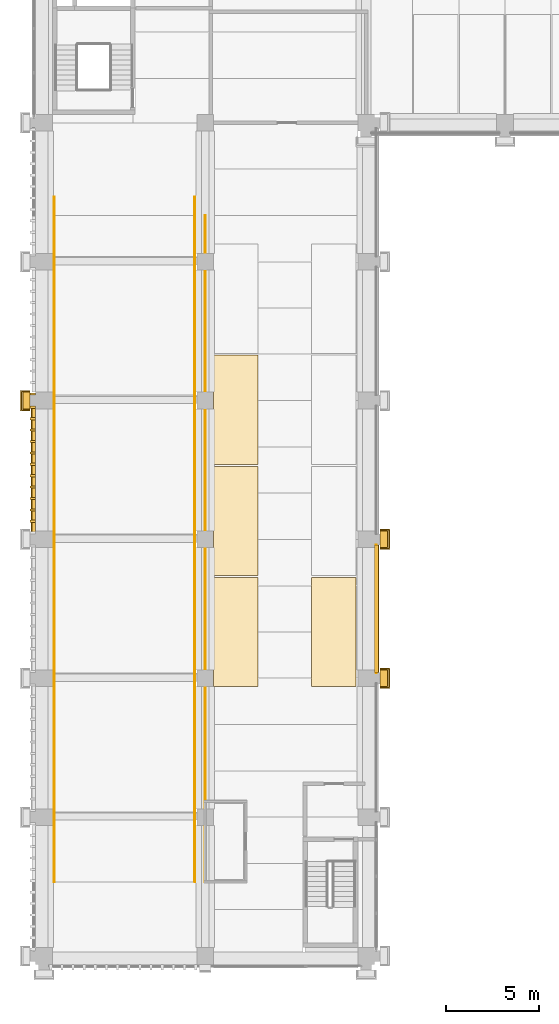
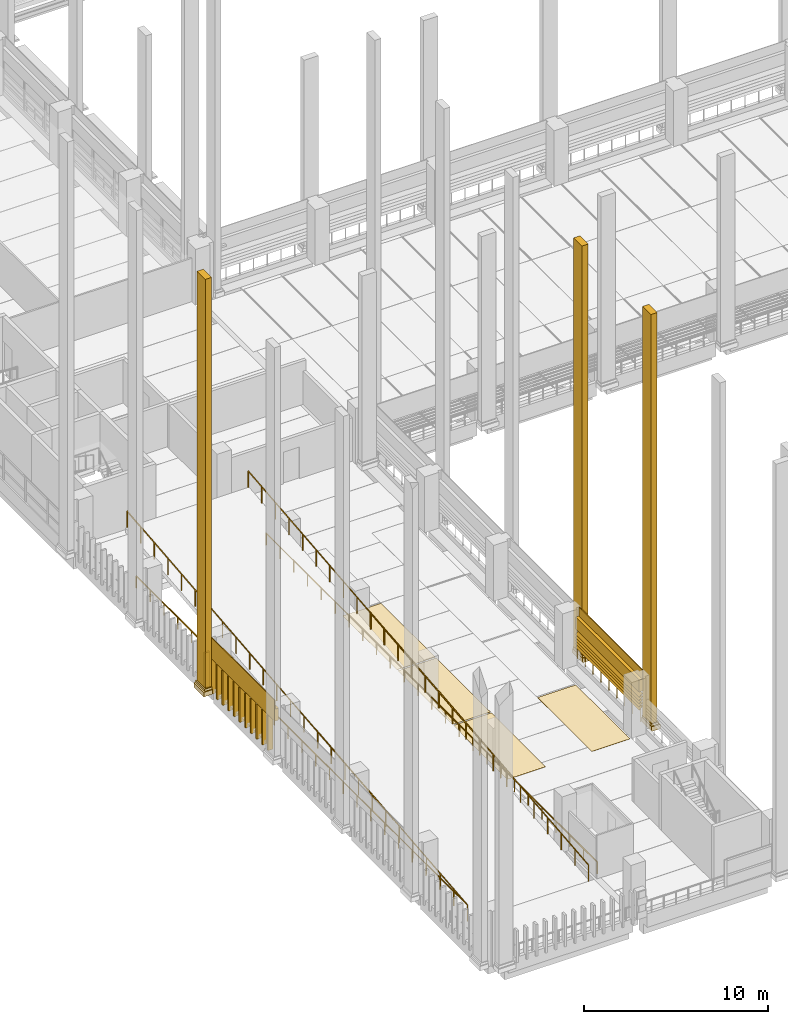
# One storey, part 45 of 67: 27 coverings, 5 railings, 5 shading devices.
"""IFC4 building model written with IfcOpenShell, lengths in metres."""

from ifc_helpers import new_model, si_unit, direction, frame, origin, origin_2d, place, context, subcontext, project, spatial, polyline, circle, outline, extrude, material, layer, layer_set, type_object, element, save


model = new_model("IFC4")

# Units and contexts
model_context = context("Model", 3, precision=1e-05, world=origin(), true_north=direction((0.0, 1.0)))
body_context = subcontext(model_context, "Body", "Model", "MODEL_VIEW")
ifc_project = project(units=[si_unit("LENGTHUNIT", "METRE"), si_unit("AREAUNIT", "SQUARE_METRE"), si_unit("VOLUMEUNIT", "CUBIC_METRE"), si_unit("PLANEANGLEUNIT", "RADIAN"), si_unit("MASSUNIT", "GRAM", prefix="KILO")], contexts=[model_context])

# Site, building, storey
site_placement = place(None, origin())
site = spatial("IfcSite", under=ifc_project, at=site_placement, CompositionType="ELEMENT")
building_placement = place(site_placement, origin())
building = spatial("IfcBuilding", under=site, at=building_placement, Name="Cour d'Honneur Mobility Palace", CompositionType="ELEMENT")
storey_placement = place(building_placement, frame((0.0, 0.0, 4.5)))
storey = spatial("IfcBuildingStorey", under=building, at=storey_placement, Name="L01", CompositionType="ELEMENT", Elevation=4.5)

# Railing
ifc_material_1 = material(Name="Painted steel", Category="steel")
railing_type_1 = type_object("IfcRailingType", Name="Balustrade", PredefinedType="BALUSTRADE", material=ifc_material_1)
railing_1_placement = place(storey_placement, frame((17.949951171875, 15.300048828125, 0.300048828125)))
element("IfcRailing", 1, at=railing_1_placement, inside=storey, type_object=railing_type_1, Name="Balustrade BAL-5", PredefinedType="BALUSTRADE", context=body_context, shape_type="SweptSolid", body=[
    extrude(circle(Radius=0.02392578125, at=origin_2d()), frame((0.0, 0.0, 0.77587890625), z_axis=(0.0, 1.0, 0.0), x_axis=(-1.0, 0.0, 0.0)), (0.0, 0.0, 1.0), 6.89990234375),
    extrude(circle(Radius=0.02099609375, at=origin_2d()), origin(), (0.0, 0.0, 1.0), 0.751953125),
    extrude(circle(Radius=0.02099609375, at=origin_2d()), frame((0.0, 0.862548828125, 0.0)), (0.0, 0.0, 1.0), 0.751953125),
    extrude(circle(Radius=0.02099609375, at=origin_2d()), frame((0.0, 1.72509765625, 0.0)), (0.0, 0.0, 1.0), 0.751953125),
    extrude(circle(Radius=0.02099609375, at=origin_2d()), frame((0.0, 2.58740234375, 0.0)), (0.0, 0.0, 1.0), 0.751953125),
    extrude(circle(Radius=0.02099609375, at=origin_2d()), frame((0.0, 3.449951171875, 0.0)), (0.0, 0.0, 1.0), 0.751953125),
    extrude(circle(Radius=0.02099609375, at=origin_2d()), frame((0.0, 4.3125, 0.0)), (0.0, 0.0, 1.0), 0.751953125),
    extrude(circle(Radius=0.02099609375, at=origin_2d()), frame((0.0, 5.1748046875, 0.0)), (0.0, 0.0, 1.0), 0.751953125),
    extrude(circle(Radius=0.02099609375, at=origin_2d()), frame((0.0, 6.037353515625, 0.0)), (0.0, 0.0, 1.0), 0.751953125),
    extrude(circle(Radius=0.02099609375, at=origin_2d()), frame((0.0, 6.89990234375, 0.0)), (0.0, 0.0, 1.0), 0.751953125),
])

# Coverings
ifc_material_2 = material(Name="Parking marking paint")
ifc_layer_1 = layer(ifc_material_2, 0.0048828125)
ifc_layer_set_1 = layer_set([ifc_layer_1], Name="Parking marking paint")
covering_type_1 = type_object("IfcCoveringType", Name="Parking bay marking", PredefinedType="FLOORING", material=ifc_layer_set_1)
covering_1_placement = place(storey_placement, origin())
element("IfcCovering", 2, at=covering_1_placement, inside=storey, type_object=covering_type_1, Name="Parking bay marking L01 83", PredefinedType="FLOORING", context=body_context, shape_type="SweptSolid", body=[
    extrude(outline(polyline([(11.550048828125, 14.550048828125), (9.14990234375, 14.550048828125), (9.14990234375, 20.449951171875), (11.550048828125, 20.449951171875), (11.550048828125, 14.550048828125)])), origin(), (0.0, 0.0, 1.0), 0.0048828125),
])
covering_2_placement = place(storey_placement, origin())
element("IfcCovering", 3, at=covering_2_placement, inside=storey, type_object=covering_type_1, Name="Parking bay marking L01 84", PredefinedType="FLOORING", context=body_context, shape_type="SweptSolid", body=[
    extrude(outline(polyline([(11.550048828125, 20.550048828125), (9.14990234375, 20.550048828125), (9.14990234375, 26.449951171875), (11.550048828125, 26.449951171875), (11.550048828125, 20.550048828125)])), origin(), (0.0, 0.0, 1.0), 0.0048828125),
])
covering_3_placement = place(storey_placement, origin())
element("IfcCovering", 4, at=covering_3_placement, inside=storey, type_object=covering_type_1, Name="Parking bay marking L01 85", PredefinedType="FLOORING", context=body_context, shape_type="SweptSolid", body=[
    extrude(outline(polyline([(11.550048828125, 26.550048828125), (9.14990234375, 26.550048828125), (9.14990234375, 32.449951171875), (11.550048828125, 32.449951171875), (11.550048828125, 26.550048828125)])), origin(), (0.0, 0.0, 1.0), 0.0048828125),
])
covering_4_placement = place(storey_placement, origin())
element("IfcCovering", 5, at=covering_4_placement, inside=storey, type_object=covering_type_1, Name="Parking bay marking L01 87", PredefinedType="FLOORING", context=body_context, shape_type="SweptSolid", body=[
    extrude(outline(polyline([(16.85009765625, 14.550048828125), (14.449951171875, 14.550048828125), (14.449951171875, 20.449951171875), (16.85009765625, 20.449951171875), (16.85009765625, 14.550048828125)])), origin(), (0.0, 0.0, 1.0), 0.0048828125),
])
ifc_material_3 = material(Name="Cast limestone", Category="masonry")
ifc_layer_2 = layer(ifc_material_3, 0.14990234375)
ifc_layer_set_2 = layer_set([ifc_layer_2], Name="Cast limestone")
covering_type_2 = type_object("IfcCoveringType", Name="Pilaster base", PredefinedType="CLADDING", material=ifc_layer_set_2)
covering_5_placement = place(storey_placement, frame((0.0, 0.0, 0.10009765625)))
element("IfcCovering", 6, at=covering_5_placement, inside=storey, type_object=covering_type_2, Name="Pilaster base PB-9", PredefinedType="CLADDING", context=body_context, shape_type="SweptSolid", body=[
    extrude(outline(polyline([(18.14990234375, 14.449951171875), (18.14990234375, 15.550048828125), (18.699951171875, 15.550048828125), (18.699951171875, 14.449951171875), (18.14990234375, 14.449951171875)])), origin(), (0.0, 0.0, 1.0), 0.2998046875),
])
covering_6_placement = place(storey_placement, frame((0.0, 0.0, 0.39990234375)))
element("IfcCovering", 7, at=covering_6_placement, inside=storey, type_object=covering_type_2, Name="Pilaster base PB-10", PredefinedType="CLADDING", context=body_context, shape_type="SweptSolid", body=[
    extrude(outline(polyline([(18.14990234375, 14.5), (18.14990234375, 15.5), (18.6201171875, 15.5), (18.6201171875, 14.5), (18.14990234375, 14.5)])), origin(), (0.0, 0.0, 1.0), 0.150146484375),
])
covering_7_placement = place(storey_placement, frame((0.0, 0.0, 0.10009765625)))
element("IfcCovering", 8, at=covering_7_placement, inside=storey, type_object=covering_type_2, Name="Pilaster base PB-11", PredefinedType="CLADDING", context=body_context, shape_type="SweptSolid", body=[
    extrude(outline(polyline([(18.14990234375, 21.949951171875), (18.14990234375, 23.050048828125), (18.699951171875, 23.050048828125), (18.699951171875, 21.949951171875), (18.14990234375, 21.949951171875)])), origin(), (0.0, 0.0, 1.0), 0.2998046875),
])
covering_8_placement = place(storey_placement, frame((0.0, 0.0, 0.39990234375)))
element("IfcCovering", 9, at=covering_8_placement, inside=storey, type_object=covering_type_2, Name="Pilaster base PB-12", PredefinedType="CLADDING", context=body_context, shape_type="SweptSolid", body=[
    extrude(outline(polyline([(18.14990234375, 22.0), (18.14990234375, 23.0), (18.6201171875, 23.0), (18.6201171875, 22.0), (18.14990234375, 22.0)])), origin(), (0.0, 0.0, 1.0), 0.150146484375),
])
covering_9_placement = place(storey_placement, frame((0.0, 0.0, 0.10009765625)))
element("IfcCovering", 10, at=covering_9_placement, inside=storey, type_object=covering_type_2, Name="Pilaster base PB-199", PredefinedType="CLADDING", context=body_context, shape_type="SweptSolid", body=[
    extrude(outline(polyline([(-0.75, 30.550048828125), (-0.75, 29.449951171875), (-1.300048828125, 29.449951171875), (-1.300048828125, 30.550048828125), (-0.75, 30.550048828125)])), origin(), (0.0, 0.0, 1.0), 0.2998046875),
])
covering_10_placement = place(storey_placement, frame((0.0, 0.0, 0.39990234375)))
element("IfcCovering", 11, at=covering_10_placement, inside=storey, type_object=covering_type_2, Name="Pilaster base PB-200", PredefinedType="CLADDING", context=body_context, shape_type="SweptSolid", body=[
    extrude(outline(polyline([(-0.75, 30.5), (-0.75, 29.5), (-1.219970703125, 29.5), (-1.219970703125, 30.5), (-0.75, 30.5)])), origin(), (0.0, 0.0, 1.0), 0.150146484375),
])
ifc_material_4 = material(Name="Cast limestone", Category="masonry")
ifc_layer_3 = layer(ifc_material_4, 0.39990234375)
ifc_layer_set_3 = layer_set([ifc_layer_3], Name="Cast limestone")
covering_type_3 = type_object("IfcCoveringType", Name="Pilaster shaft", PredefinedType="CLADDING", material=ifc_layer_set_3)
covering_11_placement = place(storey_placement, frame((0.0, 0.0, 0.550048828125)))
element("IfcCovering", 12, at=covering_11_placement, inside=storey, type_object=covering_type_3, Name="Pilaster shaft PS-5", PredefinedType="CLADDING", context=body_context, shape_type="SweptSolid", body=[
    extrude(outline(polyline([(18.14990234375, 14.550048828125), (18.14990234375, 15.449951171875), (18.550048828125, 15.449951171875), (18.550048828125, 14.550048828125), (18.14990234375, 14.550048828125)])), origin(), (0.0, 0.0, 1.0), 27.14990234375),
])
covering_12_placement = place(storey_placement, frame((0.0, 0.0, 0.550048828125)))
element("IfcCovering", 13, at=covering_12_placement, inside=storey, type_object=covering_type_3, Name="Pilaster shaft PS-6", PredefinedType="CLADDING", context=body_context, shape_type="SweptSolid", body=[
    extrude(outline(polyline([(18.14990234375, 22.050048828125), (18.14990234375, 22.949951171875), (18.550048828125, 22.949951171875), (18.550048828125, 22.050048828125), (18.14990234375, 22.050048828125)])), origin(), (0.0, 0.0, 1.0), 27.14990234375),
])
covering_13_placement = place(storey_placement, frame((0.0, 0.0, 0.550048828125)))
element("IfcCovering", 14, at=covering_13_placement, inside=storey, type_object=covering_type_3, Name="Pilaster shaft PS-100", PredefinedType="CLADDING", context=body_context, shape_type="SweptSolid", body=[
    extrude(outline(polyline([(-0.75, 30.449951171875), (-0.75, 29.550048828125), (-1.14990234375, 29.550048828125), (-1.14990234375, 30.449951171875), (-0.75, 30.449951171875)])), origin(), (0.0, 0.0, 1.0), 27.14990234375),
])

# Railings
ifc_material_5 = material(Name="Painted steel", Category="steel")
railing_type_2 = type_object("IfcRailingType", Name="Ramp guard 1100", PredefinedType="GUARDRAIL", material=ifc_material_5)
railing_2_placement = place(storey_placement, frame((0.550048828125, 4.0, 0.0)))
element("IfcRailing", 15, at=railing_2_placement, inside=storey, type_object=railing_type_2, Name="Ramp guard Ramp West 2", PredefinedType="GUARDRAIL", context=body_context, shape_type="SweptSolid", body=[
    extrude(circle(Radius=0.02490234375, at=origin_2d()), frame((0.0, 0.0, 1.0751953125), z_axis=(0.0, 0.995037320222, 0.099502418892), x_axis=(-1.0, 0.0, 0.0)), (0.0, 0.0, 1.0), 37.1845703125),
    extrude(circle(Radius=0.02099609375, at=origin_2d()), origin(), (0.0, 0.0, 1.0), 1.050048828125),
    extrude(circle(Radius=0.02099609375, at=origin_2d()), frame((0.0, 1.47998046875, 0.14794921875)), (0.0, 0.0, 1.0), 1.050048828125),
    extrude(circle(Radius=0.02099609375, at=origin_2d()), frame((0.0, 2.9599609375, 0.2958984375)), (0.0, 0.0, 1.0), 1.050048828125),
    extrude(circle(Radius=0.02099609375, at=origin_2d()), frame((0.0, 4.43994140625, 0.444091796875)), (0.0, 0.0, 1.0), 1.050048828125),
    extrude(circle(Radius=0.02099609375, at=origin_2d()), frame((0.0, 5.919921875, 0.592041015625)), (0.0, 0.0, 1.0), 1.050048828125),
    extrude(circle(Radius=0.02099609375, at=origin_2d()), frame((0.0, 7.39990234375, 0.739990234375)), (0.0, 0.0, 1.0), 1.050048828125),
    extrude(circle(Radius=0.02099609375, at=origin_2d()), frame((0.0, 8.8798828125, 0.887939453125)), (0.0, 0.0, 1.0), 1.050048828125),
    extrude(circle(Radius=0.02099609375, at=origin_2d()), frame((0.0, 10.360107421875, 1.035888671875)), (0.0, 0.0, 1.0), 1.050048828125),
    extrude(circle(Radius=0.02099609375, at=origin_2d()), frame((0.0, 11.840087890625, 1.18408203125)), (0.0, 0.0, 1.0), 1.050048828125),
    extrude(circle(Radius=0.02099609375, at=origin_2d()), frame((0.0, 13.320068359375, 1.33203125)), (0.0, 0.0, 1.0), 1.050048828125),
    extrude(circle(Radius=0.02099609375, at=origin_2d()), frame((0.0, 14.800048828125, 1.47998046875)), (0.0, 0.0, 1.0), 1.050048828125),
    extrude(circle(Radius=0.02099609375, at=origin_2d()), frame((0.0, 16.280029296875, 1.6279296875)), (0.0, 0.0, 1.0), 1.050048828125),
    extrude(circle(Radius=0.02099609375, at=origin_2d()), frame((0.0, 17.760009765625, 1.77587890625)), (0.0, 0.0, 1.0), 1.050048828125),
    extrude(circle(Radius=0.02099609375, at=origin_2d()), frame((0.0, 19.239990234375, 1.924072265625)), (0.0, 0.0, 1.0), 1.050048828125),
    extrude(circle(Radius=0.02099609375, at=origin_2d()), frame((0.0, 20.719970703125, 2.072021484375)), (0.0, 0.0, 1.0), 1.050048828125),
    extrude(circle(Radius=0.02099609375, at=origin_2d()), frame((0.0, 22.199951171875, 2.219970703125)), (0.0, 0.0, 1.0), 1.050048828125),
    extrude(circle(Radius=0.02099609375, at=origin_2d()), frame((0.0, 23.679931640625, 2.367919921875)), (0.0, 0.0, 1.0), 1.050048828125),
    extrude(circle(Radius=0.02099609375, at=origin_2d()), frame((0.0, 25.159912109375, 2.515869140625)), (0.0, 0.0, 1.0), 1.050048828125),
    extrude(circle(Radius=0.02099609375, at=origin_2d()), frame((0.0, 26.639892578125, 2.6640625)), (0.0, 0.0, 1.0), 1.050048828125),
    extrude(circle(Radius=0.02099609375, at=origin_2d()), frame((0.0, 28.1201171875, 2.81201171875)), (0.0, 0.0, 1.0), 1.050048828125),
    extrude(circle(Radius=0.02099609375, at=origin_2d()), frame((0.0, 29.60009765625, 2.9599609375)), (0.0, 0.0, 1.0), 1.050048828125),
    extrude(circle(Radius=0.02099609375, at=origin_2d()), frame((0.0, 31.080078125, 3.10791015625)), (0.0, 0.0, 1.0), 1.050048828125),
    extrude(circle(Radius=0.02099609375, at=origin_2d()), frame((0.0, 32.56005859375, 3.255859375)), (0.0, 0.0, 1.0), 1.050048828125),
    extrude(circle(Radius=0.02099609375, at=origin_2d()), frame((0.0, 34.0400390625, 3.404052734375)), (0.0, 0.0, 1.0), 1.050048828125),
    extrude(circle(Radius=0.02099609375, at=origin_2d()), frame((0.0, 35.52001953125, 3.552001953125)), (0.0, 0.0, 1.0), 1.050048828125),
    extrude(circle(Radius=0.02099609375, at=origin_2d()), frame((0.0, 37.0, 3.699951171875)), (0.0, 0.0, 1.0), 1.050048828125),
])
railing_3_placement = place(storey_placement, frame((8.14990234375, 4.0, 0.0)))
element("IfcRailing", 16, at=railing_3_placement, inside=storey, type_object=railing_type_2, Name="Ramp guard Ramp West 2", PredefinedType="GUARDRAIL", context=body_context, shape_type="SweptSolid", body=[
    extrude(circle(Radius=0.02490234375, at=origin_2d()), frame((0.0, 0.0, 1.0751953125), z_axis=(0.0, 0.995037320222, 0.099502418892), x_axis=(-1.0, 0.0, 0.0)), (0.0, 0.0, 1.0), 37.1845703125),
    extrude(circle(Radius=0.02099609375, at=origin_2d()), origin(), (0.0, 0.0, 1.0), 1.050048828125),
    extrude(circle(Radius=0.02099609375, at=origin_2d()), frame((0.0, 1.47998046875, 0.14794921875)), (0.0, 0.0, 1.0), 1.050048828125),
    extrude(circle(Radius=0.02099609375, at=origin_2d()), frame((0.0, 2.9599609375, 0.2958984375)), (0.0, 0.0, 1.0), 1.050048828125),
    extrude(circle(Radius=0.02099609375, at=origin_2d()), frame((0.0, 4.43994140625, 0.444091796875)), (0.0, 0.0, 1.0), 1.050048828125),
    extrude(circle(Radius=0.02099609375, at=origin_2d()), frame((0.0, 5.919921875, 0.592041015625)), (0.0, 0.0, 1.0), 1.050048828125),
    extrude(circle(Radius=0.02099609375, at=origin_2d()), frame((0.0, 7.39990234375, 0.739990234375)), (0.0, 0.0, 1.0), 1.050048828125),
    extrude(circle(Radius=0.02099609375, at=origin_2d()), frame((0.0, 8.8798828125, 0.887939453125)), (0.0, 0.0, 1.0), 1.050048828125),
    extrude(circle(Radius=0.02099609375, at=origin_2d()), frame((0.0, 10.360107421875, 1.035888671875)), (0.0, 0.0, 1.0), 1.050048828125),
    extrude(circle(Radius=0.02099609375, at=origin_2d()), frame((0.0, 11.840087890625, 1.18408203125)), (0.0, 0.0, 1.0), 1.050048828125),
    extrude(circle(Radius=0.02099609375, at=origin_2d()), frame((0.0, 13.320068359375, 1.33203125)), (0.0, 0.0, 1.0), 1.050048828125),
    extrude(circle(Radius=0.02099609375, at=origin_2d()), frame((0.0, 14.800048828125, 1.47998046875)), (0.0, 0.0, 1.0), 1.050048828125),
    extrude(circle(Radius=0.02099609375, at=origin_2d()), frame((0.0, 16.280029296875, 1.6279296875)), (0.0, 0.0, 1.0), 1.050048828125),
    extrude(circle(Radius=0.02099609375, at=origin_2d()), frame((0.0, 17.760009765625, 1.77587890625)), (0.0, 0.0, 1.0), 1.050048828125),
    extrude(circle(Radius=0.02099609375, at=origin_2d()), frame((0.0, 19.239990234375, 1.924072265625)), (0.0, 0.0, 1.0), 1.050048828125),
    extrude(circle(Radius=0.02099609375, at=origin_2d()), frame((0.0, 20.719970703125, 2.072021484375)), (0.0, 0.0, 1.0), 1.050048828125),
    extrude(circle(Radius=0.02099609375, at=origin_2d()), frame((0.0, 22.199951171875, 2.219970703125)), (0.0, 0.0, 1.0), 1.050048828125),
    extrude(circle(Radius=0.02099609375, at=origin_2d()), frame((0.0, 23.679931640625, 2.367919921875)), (0.0, 0.0, 1.0), 1.050048828125),
    extrude(circle(Radius=0.02099609375, at=origin_2d()), frame((0.0, 25.159912109375, 2.515869140625)), (0.0, 0.0, 1.0), 1.050048828125),
    extrude(circle(Radius=0.02099609375, at=origin_2d()), frame((0.0, 26.639892578125, 2.6640625)), (0.0, 0.0, 1.0), 1.050048828125),
    extrude(circle(Radius=0.02099609375, at=origin_2d()), frame((0.0, 28.1201171875, 2.81201171875)), (0.0, 0.0, 1.0), 1.050048828125),
    extrude(circle(Radius=0.02099609375, at=origin_2d()), frame((0.0, 29.60009765625, 2.9599609375)), (0.0, 0.0, 1.0), 1.050048828125),
    extrude(circle(Radius=0.02099609375, at=origin_2d()), frame((0.0, 31.080078125, 3.10791015625)), (0.0, 0.0, 1.0), 1.050048828125),
    extrude(circle(Radius=0.02099609375, at=origin_2d()), frame((0.0, 32.56005859375, 3.255859375)), (0.0, 0.0, 1.0), 1.050048828125),
    extrude(circle(Radius=0.02099609375, at=origin_2d()), frame((0.0, 34.0400390625, 3.404052734375)), (0.0, 0.0, 1.0), 1.050048828125),
    extrude(circle(Radius=0.02099609375, at=origin_2d()), frame((0.0, 35.52001953125, 3.552001953125)), (0.0, 0.0, 1.0), 1.050048828125),
    extrude(circle(Radius=0.02099609375, at=origin_2d()), frame((0.0, 37.0, 3.699951171875)), (0.0, 0.0, 1.0), 1.050048828125),
])

# Coverings
ifc_material_6 = material(Name="Cast limestone", Category="masonry")
ifc_layer_4 = layer(ifc_material_6, 0.1201171875)
ifc_layer_set_4 = layer_set([ifc_layer_4], Name="Cast limestone")
covering_type_4 = type_object("IfcCoveringType", Name="Ramp screen fin", PredefinedType="CLADDING", material=ifc_layer_set_4)
covering_14_placement = place(storey_placement, origin())
element("IfcCovering", 17, at=covering_14_placement, inside=storey, type_object=covering_type_4, Name="Ramp screen fin W11.9 L01 12", PredefinedType="CLADDING", context=body_context, shape_type="SweptSolid", body=[
    extrude(outline(polyline([(-0.449951171875, 30.419921875), (-0.449951171875, 30.300048828125), (-0.75, 30.300048828125), (-0.75, 30.419921875), (-0.449951171875, 30.419921875)])), origin(), (0.0, 0.0, 1.0), 2.300048828125),
])
covering_15_placement = place(storey_placement, origin())
element("IfcCovering", 18, at=covering_15_placement, inside=storey, type_object=covering_type_4, Name="Ramp screen fin W11.10 L01 1", PredefinedType="CLADDING", context=body_context, shape_type="SweptSolid", body=[
    extrude(outline(polyline([(-0.449951171875, 29.699951171875), (-0.449951171875, 29.580078125), (-0.75, 29.580078125), (-0.75, 29.699951171875), (-0.449951171875, 29.699951171875)])), origin(), (0.0, 0.0, 1.0), 2.300048828125),
])
covering_16_placement = place(storey_placement, origin())
element("IfcCovering", 19, at=covering_16_placement, inside=storey, type_object=covering_type_4, Name="Ramp screen fin W11.10 L01 2", PredefinedType="CLADDING", context=body_context, shape_type="SweptSolid", body=[
    extrude(outline(polyline([(-0.449951171875, 29.083740234375), (-0.449951171875, 28.963623046875), (-0.75, 28.963623046875), (-0.75, 29.083740234375), (-0.449951171875, 29.083740234375)])), origin(), (0.0, 0.0, 1.0), 2.300048828125),
])
covering_17_placement = place(storey_placement, origin())
element("IfcCovering", 20, at=covering_17_placement, inside=storey, type_object=covering_type_4, Name="Ramp screen fin W11.10 L01 3", PredefinedType="CLADDING", context=body_context, shape_type="SweptSolid", body=[
    extrude(outline(polyline([(-0.449951171875, 28.46728515625), (-0.449951171875, 28.34716796875), (-0.75, 28.34716796875), (-0.75, 28.46728515625), (-0.449951171875, 28.46728515625)])), origin(), (0.0, 0.0, 1.0), 2.300048828125),
])
covering_18_placement = place(storey_placement, origin())
element("IfcCovering", 21, at=covering_18_placement, inside=storey, type_object=covering_type_4, Name="Ramp screen fin W11.10 L01 4", PredefinedType="CLADDING", context=body_context, shape_type="SweptSolid", body=[
    extrude(outline(polyline([(-0.449951171875, 27.850830078125), (-0.449951171875, 27.73095703125), (-0.75, 27.73095703125), (-0.75, 27.850830078125), (-0.449951171875, 27.850830078125)])), origin(), (0.0, 0.0, 1.0), 2.300048828125),
])
covering_19_placement = place(storey_placement, origin())
element("IfcCovering", 22, at=covering_19_placement, inside=storey, type_object=covering_type_4, Name="Ramp screen fin W11.10 L01 5", PredefinedType="CLADDING", context=body_context, shape_type="SweptSolid", body=[
    extrude(outline(polyline([(-0.449951171875, 27.234619140625), (-0.449951171875, 27.114501953125), (-0.75, 27.114501953125), (-0.75, 27.234619140625), (-0.449951171875, 27.234619140625)])), origin(), (0.0, 0.0, 1.0), 2.300048828125),
])
covering_20_placement = place(storey_placement, origin())
element("IfcCovering", 23, at=covering_20_placement, inside=storey, type_object=covering_type_4, Name="Ramp screen fin W11.10 L01 6", PredefinedType="CLADDING", context=body_context, shape_type="SweptSolid", body=[
    extrude(outline(polyline([(-0.449951171875, 26.6181640625), (-0.449951171875, 26.498291015625), (-0.75, 26.498291015625), (-0.75, 26.6181640625), (-0.449951171875, 26.6181640625)])), origin(), (0.0, 0.0, 1.0), 2.300048828125),
])
covering_21_placement = place(storey_placement, origin())
element("IfcCovering", 24, at=covering_21_placement, inside=storey, type_object=covering_type_4, Name="Ramp screen fin W11.10 L01 7", PredefinedType="CLADDING", context=body_context, shape_type="SweptSolid", body=[
    extrude(outline(polyline([(-0.449951171875, 26.001708984375), (-0.449951171875, 25.8818359375), (-0.75, 25.8818359375), (-0.75, 26.001708984375), (-0.449951171875, 26.001708984375)])), origin(), (0.0, 0.0, 1.0), 2.300048828125),
])
covering_22_placement = place(storey_placement, origin())
element("IfcCovering", 25, at=covering_22_placement, inside=storey, type_object=covering_type_4, Name="Ramp screen fin W11.10 L01 8", PredefinedType="CLADDING", context=body_context, shape_type="SweptSolid", body=[
    extrude(outline(polyline([(-0.449951171875, 25.385498046875), (-0.449951171875, 25.265380859375), (-0.75, 25.265380859375), (-0.75, 25.385498046875), (-0.449951171875, 25.385498046875)])), origin(), (0.0, 0.0, 1.0), 2.300048828125),
])
covering_23_placement = place(storey_placement, origin())
element("IfcCovering", 26, at=covering_23_placement, inside=storey, type_object=covering_type_4, Name="Ramp screen fin W11.10 L01 9", PredefinedType="CLADDING", context=body_context, shape_type="SweptSolid", body=[
    extrude(outline(polyline([(-0.449951171875, 24.76904296875), (-0.449951171875, 24.649169921875), (-0.75, 24.649169921875), (-0.75, 24.76904296875), (-0.449951171875, 24.76904296875)])), origin(), (0.0, 0.0, 1.0), 2.300048828125),
])
covering_24_placement = place(storey_placement, origin())
element("IfcCovering", 27, at=covering_24_placement, inside=storey, type_object=covering_type_4, Name="Ramp screen fin W11.10 L01 10", PredefinedType="CLADDING", context=body_context, shape_type="SweptSolid", body=[
    extrude(outline(polyline([(-0.449951171875, 24.15283203125), (-0.449951171875, 24.03271484375), (-0.75, 24.03271484375), (-0.75, 24.15283203125), (-0.449951171875, 24.15283203125)])), origin(), (0.0, 0.0, 1.0), 2.300048828125),
])
covering_25_placement = place(storey_placement, origin())
element("IfcCovering", 28, at=covering_25_placement, inside=storey, type_object=covering_type_4, Name="Ramp screen fin W11.10 L01 11", PredefinedType="CLADDING", context=body_context, shape_type="SweptSolid", body=[
    extrude(outline(polyline([(-0.449951171875, 23.536376953125), (-0.449951171875, 23.416259765625), (-0.75, 23.416259765625), (-0.75, 23.536376953125), (-0.449951171875, 23.536376953125)])), origin(), (0.0, 0.0, 1.0), 2.300048828125),
])
ifc_material_7 = material(Name="Cast limestone", Category="masonry")
ifc_layer_5 = layer(ifc_material_7, 0.25)
ifc_layer_set_5 = layer_set([ifc_layer_5], Name="Cast limestone")
covering_type_5 = type_object("IfcCoveringType", Name="Spandrel cladding", PredefinedType="CLADDING", material=ifc_layer_set_5)
for number, where, z_axis, x_axis, name in (
    (29, (17.85009765625, 15.300048828125, 2.300048828125), (0.0, -1.0, 0.0), (1.0, 0.0, 0.0), "Spandrel cladding SK-70"),
    (30, (-0.449951171875, 29.699951171875, 2.300048828125), (0.0, 1.0, 0.0), (-1.0, 0.0, 0.0), "Spandrel cladding SK-136"),
):
    element("IfcCovering", number, at=place(storey_placement, frame(where, z_axis=z_axis, x_axis=x_axis)), inside=storey, type_object=covering_type_5, Name=name, PredefinedType="CLADDING", context=body_context, shape_type="SweptSolid", body=[
        extrude(outline(polyline([(0.0, 0.0), (0.25, 0.0), (0.25, 1.39990234375), (0.199951171875, 1.39990234375), (0.199951171875, 0.800048828125), (0.0, 0.800048828125), (0.0, 0.0)])), origin(), (0.0, 0.0, -1.0), 6.89990234375),
    ])

# Shading devices
ifc_material_8 = material(Name="Terracotta", Category="masonry")
ifc_layer_6 = layer(ifc_material_8, 0.02490234375)
ifc_layer_set_6 = layer_set([ifc_layer_6], Name="Terracotta")
shading_device_type = type_object("IfcShadingDeviceType", Name="Terracotta louvre blade", PredefinedType="JALOUSIE", material=ifc_layer_set_6)
shading_device_placement = place(storey_placement, frame((17.843994140625, 15.300048828125, 1.10009765625), z_axis=(-0.706699578995, 0.0, 0.707513749017), x_axis=(0.0, 1.0, 0.0)))
element("IfcShadingDevice", 31, at=shading_device_placement, inside=storey, type_object=shading_device_type, Name="Louvre blade LV-1 E1.2 L01 1", PredefinedType="JALOUSIE", context=body_context, shape_type="SweptSolid", body=[
    extrude(outline(polyline([(0.0, 0.0), (6.89990234375, 0.0), (6.89990234375, -0.29986442442957895), (0.0, -0.29986442442957895), (0.0, 0.0)])), origin(), (0.0, 0.0, -1.0), 0.02490234375),
])
for number, where, z_axis, x_axis, name in (
    (32, (17.843994140625, 15.300048828125, 1.31201171875), (-0.707106781187, 0.0, 0.707106781187), (0.0, 1.0, 0.0), "Louvre blade LV-1 E1.2 L01 2"),
    (33, (17.843994140625, 15.300048828125, 1.524169921875), (-0.707106781187, 0.0, 0.707106781187), (0.0, 1.0, 0.0), "Louvre blade LV-1 E1.2 L01 3"),
    (34, (17.843994140625, 15.300048828125, 1.736328125), (-0.707106781187, 0.0, 0.707106781187), (0.0, 1.0, 0.0), "Louvre blade LV-1 E1.2 L01 4"),
    (35, (17.843994140625, 15.300048828125, 1.948486328125), (-0.707106781187, 0.0, 0.707106781187), (0.0, 1.0, 0.0), "Louvre blade LV-1 E1.2 L01 5"),
):
    element("IfcShadingDevice", number, at=place(storey_placement, frame(where, z_axis=z_axis, x_axis=x_axis)), inside=storey, type_object=shading_device_type, Name=name, PredefinedType="JALOUSIE", context=body_context, shape_type="SweptSolid", body=[
        extrude(outline(polyline([(0.0, 0.0), (6.89990234375, 0.0), (6.89990234375, -0.300037008228081), (0.0, -0.300037008228081), (0.0, 0.0)])), origin(), (0.0, 0.0, -1.0), 0.02490234375),
    ])

# Railings
ifc_material_9 = material(Name="Painted steel", Category="steel")
railing_type_3 = type_object("IfcRailingType", Name="Void edge guard 1100", PredefinedType="GUARDRAIL", material=ifc_material_9)
railing_4_placement = place(storey_placement, frame((8.699951171875, 4.0, 0.300048828125)))
element("IfcRailing", 36, at=railing_4_placement, inside=storey, type_object=railing_type_3, Name="Void edge guard SW L01", PredefinedType="GUARDRAIL", context=body_context, shape_type="SweptSolid", body=[
    extrude(circle(Radius=0.02490234375, at=origin_2d()), frame((0.0, 0.0, 0.77490234375), z_axis=(0.0, 1.0, 0.0), x_axis=(-1.0, 0.0, 0.0)), (0.0, 0.0, 1.0), 36.0),
    extrude(circle(Radius=0.02099609375, at=origin_2d()), origin(), (0.0, 0.0, 1.0), 0.75),
    extrude(circle(Radius=0.02099609375, at=origin_2d()), frame((0.0, 1.5, 0.0)), (0.0, 0.0, 1.0), 0.75),
    extrude(circle(Radius=0.02099609375, at=origin_2d()), frame((0.0, 3.0, 0.0)), (0.0, 0.0, 1.0), 0.75),
    extrude(circle(Radius=0.02099609375, at=origin_2d()), frame((0.0, 4.5, 0.0)), (0.0, 0.0, 1.0), 0.75),
    extrude(circle(Radius=0.02099609375, at=origin_2d()), frame((0.0, 6.0, 0.0)), (0.0, 0.0, 1.0), 0.75),
    extrude(circle(Radius=0.02099609375, at=origin_2d()), frame((0.0, 7.5, 0.0)), (0.0, 0.0, 1.0), 0.75),
    extrude(circle(Radius=0.02099609375, at=origin_2d()), frame((0.0, 9.0, 0.0)), (0.0, 0.0, 1.0), 0.75),
    extrude(circle(Radius=0.02099609375, at=origin_2d()), frame((0.0, 10.5, 0.0)), (0.0, 0.0, 1.0), 0.75),
    extrude(circle(Radius=0.02099609375, at=origin_2d()), frame((0.0, 12.0, 0.0)), (0.0, 0.0, 1.0), 0.75),
    extrude(circle(Radius=0.02099609375, at=origin_2d()), frame((0.0, 13.5, 0.0)), (0.0, 0.0, 1.0), 0.75),
    extrude(circle(Radius=0.02099609375, at=origin_2d()), frame((0.0, 15.0, 0.0)), (0.0, 0.0, 1.0), 0.75),
    extrude(circle(Radius=0.02099609375, at=origin_2d()), frame((0.0, 16.5, 0.0)), (0.0, 0.0, 1.0), 0.75),
    extrude(circle(Radius=0.02099609375, at=origin_2d()), frame((0.0, 18.0, 0.0)), (0.0, 0.0, 1.0), 0.75),
    extrude(circle(Radius=0.02099609375, at=origin_2d()), frame((0.0, 19.5, 0.0)), (0.0, 0.0, 1.0), 0.75),
    extrude(circle(Radius=0.02099609375, at=origin_2d()), frame((0.0, 21.0, 0.0)), (0.0, 0.0, 1.0), 0.75),
    extrude(circle(Radius=0.02099609375, at=origin_2d()), frame((0.0, 22.5, 0.0)), (0.0, 0.0, 1.0), 0.75),
    extrude(circle(Radius=0.02099609375, at=origin_2d()), frame((0.0, 24.0, 0.0)), (0.0, 0.0, 1.0), 0.75),
    extrude(circle(Radius=0.02099609375, at=origin_2d()), frame((0.0, 25.5, 0.0)), (0.0, 0.0, 1.0), 0.75),
    extrude(circle(Radius=0.02099609375, at=origin_2d()), frame((0.0, 27.0, 0.0)), (0.0, 0.0, 1.0), 0.75),
    extrude(circle(Radius=0.02099609375, at=origin_2d()), frame((0.0, 28.5, 0.0)), (0.0, 0.0, 1.0), 0.75),
    extrude(circle(Radius=0.02099609375, at=origin_2d()), frame((0.0, 30.0, 0.0)), (0.0, 0.0, 1.0), 0.75),
    extrude(circle(Radius=0.02099609375, at=origin_2d()), frame((0.0, 31.5, 0.0)), (0.0, 0.0, 1.0), 0.75),
    extrude(circle(Radius=0.02099609375, at=origin_2d()), frame((0.0, 33.0, 0.0)), (0.0, 0.0, 1.0), 0.75),
    extrude(circle(Radius=0.02099609375, at=origin_2d()), frame((0.0, 34.5, 0.0)), (0.0, 0.0, 1.0), 0.75),
    extrude(circle(Radius=0.02099609375, at=origin_2d()), frame((0.0, 36.0, 0.0)), (0.0, 0.0, 1.0), 0.75),
])
railing_5_placement = place(storey_placement, frame((0.550048828125, 4.0, 0.300048828125)))
element("IfcRailing", 37, at=railing_5_placement, inside=storey, type_object=railing_type_3, Name="Void edge guard SW L01", PredefinedType="GUARDRAIL", context=body_context, shape_type="SweptSolid", body=[
    extrude(circle(Radius=0.02490234375, at=origin_2d()), frame((0.0, 0.0, 0.77490234375), z_axis=(0.0, 1.0, 0.0), x_axis=(-1.0, 0.0, 0.0)), (0.0, 0.0, 1.0), 36.0),
    extrude(circle(Radius=0.02099609375, at=origin_2d()), origin(), (0.0, 0.0, 1.0), 0.75),
    extrude(circle(Radius=0.02099609375, at=origin_2d()), frame((0.0, 1.5, 0.0)), (0.0, 0.0, 1.0), 0.75),
    extrude(circle(Radius=0.02099609375, at=origin_2d()), frame((0.0, 3.0, 0.0)), (0.0, 0.0, 1.0), 0.75),
    extrude(circle(Radius=0.02099609375, at=origin_2d()), frame((0.0, 4.5, 0.0)), (0.0, 0.0, 1.0), 0.75),
    extrude(circle(Radius=0.02099609375, at=origin_2d()), frame((0.0, 6.0, 0.0)), (0.0, 0.0, 1.0), 0.75),
    extrude(circle(Radius=0.02099609375, at=origin_2d()), frame((0.0, 7.5, 0.0)), (0.0, 0.0, 1.0), 0.75),
    extrude(circle(Radius=0.02099609375, at=origin_2d()), frame((0.0, 9.0, 0.0)), (0.0, 0.0, 1.0), 0.75),
    extrude(circle(Radius=0.02099609375, at=origin_2d()), frame((0.0, 10.5, 0.0)), (0.0, 0.0, 1.0), 0.75),
    extrude(circle(Radius=0.02099609375, at=origin_2d()), frame((0.0, 12.0, 0.0)), (0.0, 0.0, 1.0), 0.75),
    extrude(circle(Radius=0.02099609375, at=origin_2d()), frame((0.0, 13.5, 0.0)), (0.0, 0.0, 1.0), 0.75),
    extrude(circle(Radius=0.02099609375, at=origin_2d()), frame((0.0, 15.0, 0.0)), (0.0, 0.0, 1.0), 0.75),
    extrude(circle(Radius=0.02099609375, at=origin_2d()), frame((0.0, 16.5, 0.0)), (0.0, 0.0, 1.0), 0.75),
    extrude(circle(Radius=0.02099609375, at=origin_2d()), frame((0.0, 18.0, 0.0)), (0.0, 0.0, 1.0), 0.75),
    extrude(circle(Radius=0.02099609375, at=origin_2d()), frame((0.0, 19.5, 0.0)), (0.0, 0.0, 1.0), 0.75),
    extrude(circle(Radius=0.02099609375, at=origin_2d()), frame((0.0, 21.0, 0.0)), (0.0, 0.0, 1.0), 0.75),
    extrude(circle(Radius=0.02099609375, at=origin_2d()), frame((0.0, 22.5, 0.0)), (0.0, 0.0, 1.0), 0.75),
    extrude(circle(Radius=0.02099609375, at=origin_2d()), frame((0.0, 24.0, 0.0)), (0.0, 0.0, 1.0), 0.75),
    extrude(circle(Radius=0.02099609375, at=origin_2d()), frame((0.0, 25.5, 0.0)), (0.0, 0.0, 1.0), 0.75),
    extrude(circle(Radius=0.02099609375, at=origin_2d()), frame((0.0, 27.0, 0.0)), (0.0, 0.0, 1.0), 0.75),
    extrude(circle(Radius=0.02099609375, at=origin_2d()), frame((0.0, 28.5, 0.0)), (0.0, 0.0, 1.0), 0.75),
    extrude(circle(Radius=0.02099609375, at=origin_2d()), frame((0.0, 30.0, 0.0)), (0.0, 0.0, 1.0), 0.75),
    extrude(circle(Radius=0.02099609375, at=origin_2d()), frame((0.0, 31.5, 0.0)), (0.0, 0.0, 1.0), 0.75),
    extrude(circle(Radius=0.02099609375, at=origin_2d()), frame((0.0, 33.0, 0.0)), (0.0, 0.0, 1.0), 0.75),
    extrude(circle(Radius=0.02099609375, at=origin_2d()), frame((0.0, 34.5, 0.0)), (0.0, 0.0, 1.0), 0.75),
    extrude(circle(Radius=0.02099609375, at=origin_2d()), frame((0.0, 36.0, 0.0)), (0.0, 0.0, 1.0), 0.75),
])

save(model, "model.ifc")
